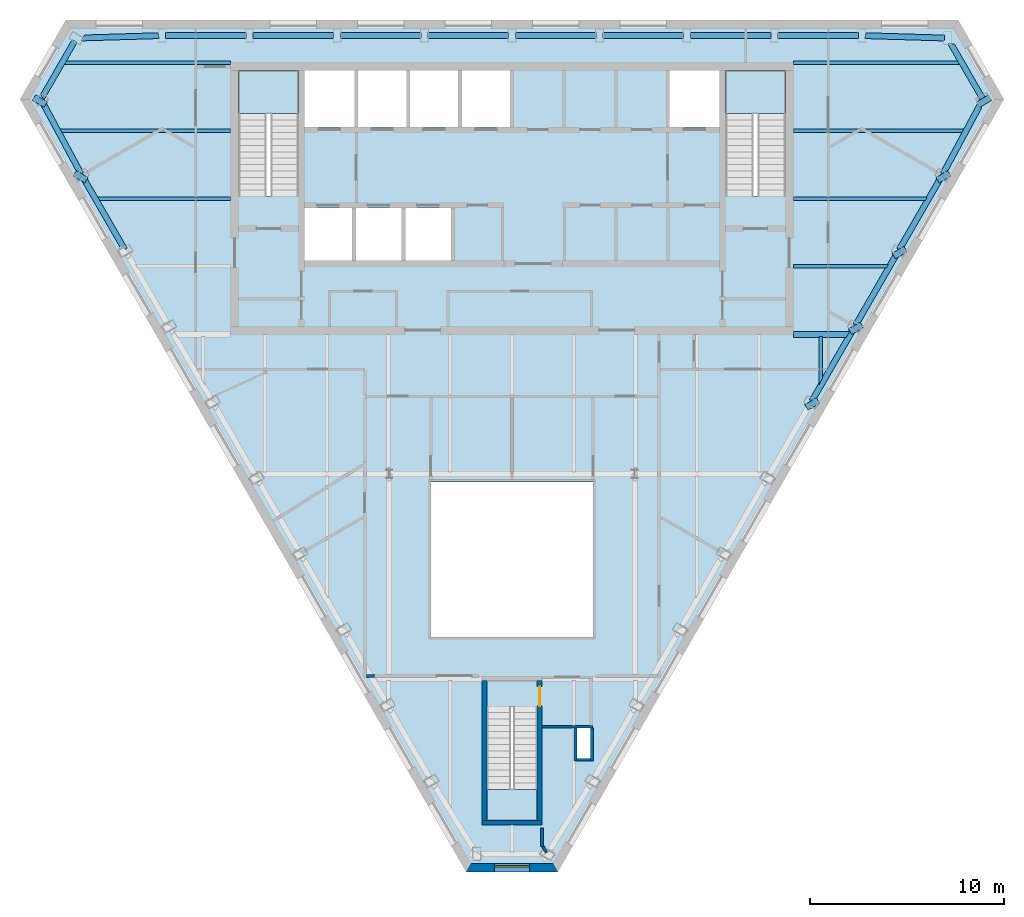
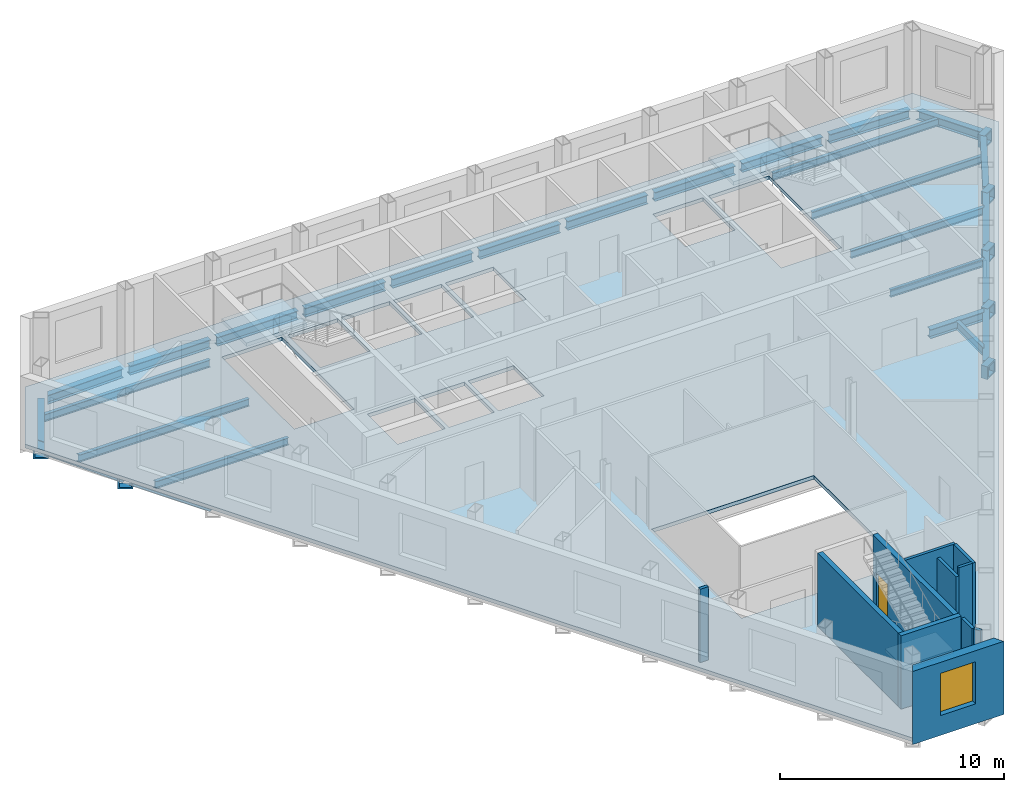
# One storey, part 3 of 10: 34 beams, 11 walls, 4 slabs, 1 door, 1 window, 2 openings, 3 elements without a shape of their own.
"""IFC4 building model written with IfcOpenShell, lengths in metres."""

from ifc_helpers import new_model, si_unit, direction, frame, frame_2d, origin, origin_2d, place, context, subcontext, project, spatial, polyline, rectangle, hollow_rectangle, i_section, outline, extrude, clip, halfspace, material, layer, layer_set, material_profile, profile_set, type_object, element, fill, aggregate, save


model = new_model("IFC4")

# Units and contexts
model_context = context("Model", 3, precision=1e-05, world=origin(), true_north=direction((0.0, 1.0)))
body_context = subcontext(model_context, "Body", "Model", "MODEL_VIEW")
ifc_project = project(units=[si_unit("LENGTHUNIT", "METRE"), si_unit("AREAUNIT", "SQUARE_METRE"), si_unit("VOLUMEUNIT", "CUBIC_METRE"), si_unit("PLANEANGLEUNIT", "RADIAN"), si_unit("MASSUNIT", "GRAM", prefix="KILO")], contexts=[model_context])

# Site, building, storey
site_placement = place(None, origin())
site = spatial("IfcSite", under=ifc_project, at=site_placement, CompositionType="ELEMENT")
building_placement = place(site_placement, origin())
building = spatial("IfcBuilding", under=site, at=building_placement, Name="Njiva Tower", CompositionType="ELEMENT")
storey_placement = place(building_placement, frame((0.0, 0.0, 304.2)))
storey = spatial("IfcBuildingStorey", under=building, at=storey_placement, Name="L69", CompositionType="ELEMENT", Elevation=304.2)

# Beams
ifc_material_1 = material(Name="Steel S355 J2", Category="steel")
ifc_material_profile_1 = material_profile(ifc_material_1, hollow_rectangle(XDim=0.7, YDim=0.7, WallThickness=0.08, at=origin_2d()), Name="BOX 700x700x80")
ifc_profile_set_1 = profile_set([ifc_material_profile_1], Name="Steel S355 J2")
beam_type_1 = type_object("IfcBeamType", Name="B19 Column jog beam BOX 700x700x80", PredefinedType="BEAM", material=ifc_profile_set_1)
beam_1_placement = place(storey_placement, frame((-24.419, 15.879, -0.55), z_axis=(0.518034691835, 0.855359607449, 0.0), x_axis=(-0.855359607449, 0.518034691835, 0.0)))
element("IfcBeam", 1, at=beam_1_placement, inside=storey, type_object=beam_type_1, Name="Column jog beam S23-B013", PredefinedType="BEAM", context=body_context, shape_type="SweptSolid", body=[
    extrude(hollow_rectangle(XDim=0.7, YDim=0.7, WallThickness=0.08, at=origin_2d()), origin(), (0.0, 0.0, 1.0), 0.332),
])
beam_2_placement = place(storey_placement, frame((-22.318, 11.975, -0.55), z_axis=(0.511852178845, 0.859073539932, 0.0), x_axis=(-0.859073539932, 0.511852178845, 0.0)))
element("IfcBeam", 2, at=beam_2_placement, inside=storey, type_object=beam_type_1, Name="Column jog beam S23-B014", PredefinedType="BEAM", context=body_context, shape_type="SweptSolid", body=[
    extrude(hollow_rectangle(XDim=0.7, YDim=0.7, WallThickness=0.08, at=origin_2d()), origin(), (0.0, 0.0, 1.0), 0.3341),
])
beam_3_placement = place(storey_placement, frame((15.556, 0.264, -0.55), z_axis=(-0.502568462288, 0.864537414293, 0.0), x_axis=(-0.864537414293, -0.502568462288, 0.0)))
element("IfcBeam", 3, at=beam_3_placement, inside=storey, type_object=beam_type_1, Name="Column jog beam S23-B032", PredefinedType="BEAM", context=body_context, shape_type="SweptSolid", body=[
    extrude(hollow_rectangle(XDim=0.7, YDim=0.7, WallThickness=0.08, at=origin_2d()), origin(), (0.0, 0.0, 1.0), 0.3343),
])
beam_4_placement = place(storey_placement, frame((17.81, 4.167, -0.55), z_axis=(-0.504799328644, 0.863236721763, 0.0), x_axis=(-0.863236721763, -0.504799328644, 0.0)))
element("IfcBeam", 4, at=beam_4_placement, inside=storey, type_object=beam_type_1, Name="Column jog beam S23-B033", PredefinedType="BEAM", context=body_context, shape_type="SweptSolid", body=[
    extrude(hollow_rectangle(XDim=0.7, YDim=0.7, WallThickness=0.08, at=origin_2d()), origin(), (0.0, 0.0, 1.0), 0.3348),
])
beam_5_placement = place(storey_placement, frame((20.065, 8.071, -0.55), z_axis=(-0.510538754155, 0.859854743841, 0.0), x_axis=(-0.859854743841, -0.510538754155, 0.0)))
element("IfcBeam", 5, at=beam_5_placement, inside=storey, type_object=beam_type_1, Name="Column jog beam S23-B034", PredefinedType="BEAM", context=body_context, shape_type="SweptSolid", body=[
    extrude(hollow_rectangle(XDim=0.7, YDim=0.7, WallThickness=0.08, at=origin_2d()), origin(), (0.0, 0.0, 1.0), 0.3349),
])
beam_6_placement = place(storey_placement, frame((22.318, 11.975, -0.55), z_axis=(-0.511852178845, 0.859073539932, 0.0), x_axis=(-0.859073539932, -0.511852178845, 0.0)))
element("IfcBeam", 6, at=beam_6_placement, inside=storey, type_object=beam_type_1, Name="Column jog beam S23-B035", PredefinedType="BEAM", context=body_context, shape_type="SweptSolid", body=[
    extrude(hollow_rectangle(XDim=0.7, YDim=0.7, WallThickness=0.08, at=origin_2d()), origin(), (0.0, 0.0, 1.0), 0.3341),
])
beam_7_placement = place(storey_placement, frame((24.419, 15.879, -0.55), z_axis=(-0.518034691835, 0.855359607449, 0.0), x_axis=(-0.855359607449, -0.518034691835, 0.0)))
element("IfcBeam", 7, at=beam_7_placement, inside=storey, type_object=beam_type_1, Name="Column jog beam S23-B036", PredefinedType="BEAM", context=body_context, shape_type="SweptSolid", body=[
    extrude(hollow_rectangle(XDim=0.7, YDim=0.7, WallThickness=0.08, at=origin_2d()), origin(), (0.0, 0.0, 1.0), 0.332),
])
ifc_material_profile_2 = material_profile(ifc_material_1, i_section(OverallWidth=0.3, OverallDepth=0.49, WebThickness=0.012, FlangeThickness=0.023, at=origin_2d()), Name="HEA 500")
ifc_profile_set_2 = profile_set([ifc_material_profile_2], Name="Steel S355 J2")
beam_type_2 = type_object("IfcBeamType", Name="B48 Short-span spandrel beam HEA 500", PredefinedType="SPANDREL", material=ifc_profile_set_2)
beam_8_placement = place(storey_placement, frame((22.282, 19.272, -0.445), z_axis=(-0.999544325755, 0.030185109764, 0.0), x_axis=(-0.030185109764, -0.999544325755, 0.0)))
element("IfcBeam", 8, at=beam_8_placement, inside=storey, type_object=beam_type_2, Name="Short-span spandrel beam S23-B116", PredefinedType="SPANDREL", context=body_context, shape_type="SweptSolid", body=[
    extrude(i_section(OverallWidth=0.3, OverallDepth=0.49, WebThickness=0.012, FlangeThickness=0.023, at=origin_2d()), origin(), (0.0, 0.0, 1.0), 4.0749),
])
beam_9_placement = place(storey_placement, frame((17.855, 19.4, -0.445), z_axis=(-1.0, 0.0, 0.0), x_axis=(0.0, -1.0, 0.0)))
element("IfcBeam", 9, at=beam_9_placement, inside=storey, type_object=beam_type_2, Name="Short-span spandrel beam S23-B110", PredefinedType="SPANDREL", context=body_context, shape_type="SweptSolid", body=[
    extrude(i_section(OverallWidth=0.3, OverallDepth=0.49, WebThickness=0.012, FlangeThickness=0.023, at=origin_2d()), origin(), (0.0, 0.0, 1.0), 4.157),
])
beam_10_placement = place(storey_placement, frame((13.348, 19.4, -0.445), z_axis=(-1.0, 0.0, 0.0), x_axis=(0.0, -1.0, 0.0)))
element("IfcBeam", 10, at=beam_10_placement, inside=storey, type_object=beam_type_2, Name="Short-span spandrel beam S23-B104", PredefinedType="SPANDREL", context=body_context, shape_type="SweptSolid", body=[
    extrude(i_section(OverallWidth=0.3, OverallDepth=0.49, WebThickness=0.012, FlangeThickness=0.023, at=origin_2d()), origin(), (0.0, 0.0, 1.0), 4.158),
])
beam_11_placement = place(storey_placement, frame((8.84, 19.4, -0.445), z_axis=(-1.0, 0.0, 0.0), x_axis=(0.0, -1.0, 0.0)))
element("IfcBeam", 11, at=beam_11_placement, inside=storey, type_object=beam_type_2, Name="Short-span spandrel beam S23-B099", PredefinedType="SPANDREL", context=body_context, shape_type="SweptSolid", body=[
    extrude(i_section(OverallWidth=0.3, OverallDepth=0.49, WebThickness=0.012, FlangeThickness=0.023, at=origin_2d()), origin(), (0.0, 0.0, 1.0), 4.157),
])
for number, where, z_axis, x_axis, name in (
    (12, (4.333, 19.4, -0.445), (-1.0, 0.0, 0.0), (0.0, -1.0, 0.0), "Short-span spandrel beam S23-B094"),
    (13, (-0.175, 19.4, -0.445), (-1.0, 0.0, 0.0), (0.0, -1.0, 0.0), "Short-span spandrel beam S23-B089"),
):
    element("IfcBeam", number, at=place(storey_placement, frame(where, z_axis=z_axis, x_axis=x_axis)), inside=storey, type_object=beam_type_2, Name=name, PredefinedType="SPANDREL", context=body_context, shape_type="SweptSolid", body=[
        extrude(i_section(OverallWidth=0.3, OverallDepth=0.49, WebThickness=0.012, FlangeThickness=0.023, at=origin_2d()), origin(), (0.0, 0.0, 1.0), 4.158),
    ])
beam_12_placement = place(storey_placement, frame((-4.683, 19.4, -0.445), z_axis=(-1.0, 0.0, 0.0), x_axis=(0.0, -1.0, 0.0)))
element("IfcBeam", 14, at=beam_12_placement, inside=storey, type_object=beam_type_2, Name="Short-span spandrel beam S23-B084", PredefinedType="SPANDREL", context=body_context, shape_type="SweptSolid", body=[
    extrude(i_section(OverallWidth=0.3, OverallDepth=0.49, WebThickness=0.012, FlangeThickness=0.023, at=origin_2d()), origin(), (0.0, 0.0, 1.0), 4.157),
])
beam_13_placement = place(storey_placement, frame((-9.19, 19.4, -0.445), z_axis=(-1.0, 0.0, 0.0), x_axis=(0.0, -1.0, 0.0)))
element("IfcBeam", 15, at=beam_13_placement, inside=storey, type_object=beam_type_2, Name="Short-span spandrel beam S23-B079", PredefinedType="SPANDREL", context=body_context, shape_type="SweptSolid", body=[
    extrude(i_section(OverallWidth=0.3, OverallDepth=0.49, WebThickness=0.012, FlangeThickness=0.023, at=origin_2d()), origin(), (0.0, 0.0, 1.0), 4.158),
])
beam_14_placement = place(storey_placement, frame((-13.698, 19.4, -0.445), z_axis=(-1.0, 0.0, 0.0), x_axis=(0.0, -1.0, 0.0)))
element("IfcBeam", 16, at=beam_14_placement, inside=storey, type_object=beam_type_2, Name="Short-span spandrel beam S23-B073", PredefinedType="SPANDREL", context=body_context, shape_type="SweptSolid", body=[
    extrude(i_section(OverallWidth=0.3, OverallDepth=0.49, WebThickness=0.012, FlangeThickness=0.023, at=origin_2d()), origin(), (0.0, 0.0, 1.0), 4.157),
])
beam_15_placement = place(storey_placement, frame((-18.209, 19.395, -0.445), z_axis=(-0.999542588848, -0.030242570637, 0.0), x_axis=(0.030242570637, -0.999542588848, 0.0)))
element("IfcBeam", 17, at=beam_15_placement, inside=storey, type_object=beam_type_2, Name="Short-span spandrel beam S23-B067", PredefinedType="SPANDREL", context=body_context, shape_type="Clipping", body=[
    clip(extrude(i_section(OverallWidth=0.3, OverallDepth=0.49, WebThickness=0.012, FlangeThickness=0.023, at=origin_2d()), origin(), (0.0, 0.0, 1.0), 4.0148), halfspace(frame((-0.0266, 0.0, 3.8852), z_axis=(-0.525960174319, 0.0, 0.850509197499), x_axis=(0.0, 1.0, 0.0)), False)),
])
beam_16_placement = place(storey_placement, frame((-22.545, 19.113, -0.445), z_axis=(-0.500042693391, -0.866000753341, 0.0), x_axis=(0.866000753341, -0.500042693391, 0.0)))
element("IfcBeam", 18, at=beam_16_placement, inside=storey, type_object=beam_type_2, Name="Short-span spandrel beam S23-B063", PredefinedType="SPANDREL", context=body_context, shape_type="Clipping", body=[
    clip(extrude(i_section(OverallWidth=0.3, OverallDepth=0.49, WebThickness=0.012, FlangeThickness=0.023, at=origin_2d()), origin(), (0.0, 0.0, 1.0), 3.4407), halfspace(frame((-0.0249, 0.0, 3.3198), z_axis=(-0.499959295661, 0.0, 0.86604890317), x_axis=(0.0, 1.0, 0.0)), False)),
])
beam_17_placement = place(storey_placement, frame((-24.144, 15.864, -0.445), z_axis=(0.473719218081, -0.880675934962, 0.0), x_axis=(0.880675934962, 0.473719218081, 0.0)))
element("IfcBeam", 19, at=beam_17_placement, inside=storey, type_object=beam_type_2, Name="Short-span spandrel beam S23-B065", PredefinedType="SPANDREL", context=body_context, shape_type="SweptSolid", body=[
    extrude(i_section(OverallWidth=0.3, OverallDepth=0.49, WebThickness=0.012, FlangeThickness=0.023, at=origin_2d()), origin(), (0.0, 0.0, 1.0), 4.0741),
])
for number, where, z_axis, x_axis, name in (
    (20, (-22.039, 11.968, -0.445), (0.500097243556, -0.865969252911, 0.0), (0.865969252911, 0.500097243556, 0.0), "Short-span spandrel beam S23-B070"),
    (21, (15.452, 0.561, -0.445), (0.500097243556, 0.865969252911, 0.0), (-0.865969252911, 0.500097243556, 0.0), "Short-span spandrel beam S23-B111"),
):
    element("IfcBeam", number, at=place(storey_placement, frame(where, z_axis=z_axis, x_axis=x_axis)), inside=storey, type_object=beam_type_2, Name=name, PredefinedType="SPANDREL", context=body_context, shape_type="SweptSolid", body=[
        extrude(i_section(OverallWidth=0.3, OverallDepth=0.49, WebThickness=0.012, FlangeThickness=0.023, at=origin_2d()), origin(), (0.0, 0.0, 1.0), 4.1572),
    ])
beam_18_placement = place(storey_placement, frame((17.706, 4.464, -0.445), z_axis=(0.49999308822, 0.866029394266, 0.0), x_axis=(-0.866029394266, 0.49999308822, 0.0)))
element("IfcBeam", 22, at=beam_18_placement, inside=storey, type_object=beam_type_2, Name="Short-span spandrel beam S23-B113", PredefinedType="SPANDREL", context=body_context, shape_type="SweptSolid", body=[
    extrude(i_section(OverallWidth=0.3, OverallDepth=0.49, WebThickness=0.012, FlangeThickness=0.023, at=origin_2d()), origin(), (0.0, 0.0, 1.0), 4.1581),
])
beam_19_placement = place(storey_placement, frame((19.96, 8.368, -0.445), z_axis=(0.500097243556, 0.865969252911, 0.0), x_axis=(-0.865969252911, 0.500097243556, 0.0)))
element("IfcBeam", 23, at=beam_19_placement, inside=storey, type_object=beam_type_2, Name="Short-span spandrel beam S23-B117", PredefinedType="SPANDREL", context=body_context, shape_type="SweptSolid", body=[
    extrude(i_section(OverallWidth=0.3, OverallDepth=0.49, WebThickness=0.012, FlangeThickness=0.023, at=origin_2d()), origin(), (0.0, 0.0, 1.0), 4.1572),
])
beam_20_placement = place(storey_placement, frame((22.214, 12.276, -0.445), z_axis=(0.47375761408, 0.880655280517, 0.0), x_axis=(-0.880655280517, 0.47375761408, 0.0)))
element("IfcBeam", 24, at=beam_20_placement, inside=storey, type_object=beam_type_2, Name="Short-span spandrel beam S23-B119", PredefinedType="SPANDREL", context=body_context, shape_type="Clipping", body=[
    clip(extrude(i_section(OverallWidth=0.3, OverallDepth=0.49, WebThickness=0.012, FlangeThickness=0.023, at=origin_2d()), origin(), (0.0, 0.0, 1.0), 4.1214), halfspace(frame((-0.0261, 0.0, 3.9924), z_axis=(-0.525792992657, 0.0, 0.850612560966), x_axis=(0.0, 1.0, 0.0)), False)),
])
beam_21_placement = place(storey_placement, frame((24.278, 16.112, -0.445), z_axis=(-0.500151261923, 0.865938055058, 0.0), x_axis=(-0.865938055058, -0.500151261923, 0.0)))
element("IfcBeam", 25, at=beam_21_placement, inside=storey, type_object=beam_type_2, Name="Short-span spandrel beam S23-B122", PredefinedType="SPANDREL", context=body_context, shape_type="Clipping", body=[
    clip(extrude(i_section(OverallWidth=0.3, OverallDepth=0.49, WebThickness=0.012, FlangeThickness=0.023, at=origin_2d()), origin(), (0.0, 0.0, 1.0), 3.404), halfspace(frame((-0.0254, 0.0, 3.2823), z_axis=(-0.500151261923, 0.0, 0.865938055058), x_axis=(0.0, 1.0, 0.0)), False)),
])
ifc_material_profile_3 = material_profile(ifc_material_1, i_section(OverallWidth=0.3, OverallDepth=0.49, WebThickness=0.012, FlangeThickness=0.023, at=origin_2d()), Name="HEA 500")
ifc_profile_set_3 = profile_set([ifc_material_profile_3], Name="Steel S355 J2")
beam_type_3 = type_object("IfcBeamType", Name="B50 Short-span floor girder HEA 500", PredefinedType="BEAM", material=ifc_profile_set_3)
beam_22_placement = place(storey_placement, frame((14.5, 4.0, -0.445), z_axis=(1.0, 0.0, 0.0), x_axis=(0.0, 1.0, 0.0)))
element("IfcBeam", 26, at=beam_22_placement, inside=storey, type_object=beam_type_3, Name="Short-span floor girder S23-B012", PredefinedType="BEAM", context=body_context, shape_type="Clipping", body=[
    clip(extrude(i_section(OverallWidth=0.3, OverallDepth=0.49, WebThickness=0.012, FlangeThickness=0.023, at=origin_2d()), origin(), (0.0, 0.0, 1.0), 2.93), halfspace(frame((-0.025, 0.0, 2.8083), z_axis=(-0.499998009787, 0.0, 0.866026552831), x_axis=(0.0, 1.0, 0.0)), False)),
])
ifc_material_profile_4 = material_profile(ifc_material_1, i_section(OverallWidth=0.18, OverallDepth=0.4, WebThickness=0.0086, FlangeThickness=0.0135, at=origin_2d()), Name="IPE 400")
ifc_profile_set_4 = profile_set([ifc_material_profile_4], Name="Steel S355 J2")
beam_type_4 = type_object("IfcBeamType", Name="B51 Floor beam to the core IPE 400", PredefinedType="BEAM", material=ifc_profile_set_4)
beam_23_placement = place(storey_placement, frame((14.5, 7.5, -0.4), z_axis=(1.0, 0.0, 0.0), x_axis=(0.0, 1.0, 0.0)))
element("IfcBeam", 27, at=beam_23_placement, inside=storey, type_object=beam_type_4, Name="Floor beam to the core S23-B005", PredefinedType="BEAM", context=body_context, shape_type="Clipping", body=[
    clip(extrude(i_section(OverallWidth=0.18, OverallDepth=0.4, WebThickness=0.0086, FlangeThickness=0.0135, at=origin_2d()), origin(), (0.0, 0.0, 1.0), 4.915), halfspace(frame((-0.025, 0.0, 4.829), z_axis=(-0.499998009787, 0.0, 0.866026552831), x_axis=(0.0, 1.0, 0.0)), False)),
])
beam_24_placement = place(storey_placement, frame((-21.436, 11.0, -0.4), z_axis=(1.0, 0.0, 0.0), x_axis=(0.0, 1.0, 0.0)))
element("IfcBeam", 28, at=beam_24_placement, inside=storey, type_object=beam_type_4, Name="Floor beam to the core S23-B003", PredefinedType="BEAM", context=body_context, shape_type="Clipping", body=[
    clip(extrude(i_section(OverallWidth=0.18, OverallDepth=0.4, WebThickness=0.0086, FlangeThickness=0.0135, at=origin_2d()), origin(), (0.0, 0.0, 1.0), 6.936), halfspace(frame((-0.025, 0.0, 0.0863), z_axis=(-0.499998009787, 0.0, -0.866026552831), x_axis=(0.0, -1.0, 0.0)), False)),
])
beam_25_placement = place(storey_placement, frame((14.5, 11.0, -0.4), z_axis=(1.0, 0.0, 0.0), x_axis=(0.0, 1.0, 0.0)))
element("IfcBeam", 29, at=beam_25_placement, inside=storey, type_object=beam_type_4, Name="Floor beam to the core S23-B006", PredefinedType="BEAM", context=body_context, shape_type="Clipping", body=[
    clip(extrude(i_section(OverallWidth=0.18, OverallDepth=0.4, WebThickness=0.0086, FlangeThickness=0.0135, at=origin_2d()), origin(), (0.0, 0.0, 1.0), 6.936), halfspace(frame((-0.025, 0.0, 6.8497), z_axis=(-0.499998009787, 0.0, 0.866026552831), x_axis=(0.0, 1.0, 0.0)), False)),
])
beam_26_placement = place(storey_placement, frame((-23.365, 14.5, -0.4), z_axis=(1.0, 0.0, 0.0), x_axis=(0.0, 1.0, 0.0)))
element("IfcBeam", 30, at=beam_26_placement, inside=storey, type_object=beam_type_4, Name="Floor beam to the core S23-B001", PredefinedType="BEAM", context=body_context, shape_type="Clipping", body=[
    clip(extrude(i_section(OverallWidth=0.18, OverallDepth=0.4, WebThickness=0.0086, FlangeThickness=0.0135, at=origin_2d()), origin(), (0.0, 0.0, 1.0), 8.865), halfspace(frame((-0.0237, 0.0, 0.0812), z_axis=(-0.47376166762, 0.0, -0.88065309986), x_axis=(0.0, -1.0, 0.0)), False)),
])
beam_27_placement = place(storey_placement, frame((14.5, 14.5, -0.4), z_axis=(1.0, 0.0, 0.0), x_axis=(0.0, 1.0, 0.0)))
element("IfcBeam", 31, at=beam_27_placement, inside=storey, type_object=beam_type_4, Name="Floor beam to the core S23-B007", PredefinedType="BEAM", context=body_context, shape_type="Clipping", body=[
    clip(extrude(i_section(OverallWidth=0.18, OverallDepth=0.4, WebThickness=0.0086, FlangeThickness=0.0135, at=origin_2d()), origin(), (0.0, 0.0, 1.0), 8.865), halfspace(frame((-0.0237, 0.0, 8.7838), z_axis=(-0.47376166762, 0.0, 0.88065309986), x_axis=(0.0, 1.0, 0.0)), False)),
])
beam_28_placement = place(storey_placement, frame((-23.144, 18.0, -0.4), z_axis=(1.0, 0.0, 0.0), x_axis=(0.0, 1.0, 0.0)))
element("IfcBeam", 32, at=beam_28_placement, inside=storey, type_object=beam_type_4, Name="Floor beam to the core S23-B002", PredefinedType="BEAM", context=body_context, shape_type="Clipping", body=[
    clip(extrude(i_section(OverallWidth=0.18, OverallDepth=0.4, WebThickness=0.0086, FlangeThickness=0.0135, at=origin_2d()), origin(), (0.0, 0.0, 1.0), 8.644), halfspace(frame((0.025, 0.0, 0.0862), z_axis=(0.499998009787, 0.0, -0.866026552831), x_axis=(0.0, -1.0, 0.0)), False)),
])
beam_29_placement = place(storey_placement, frame((14.5, 18.0, -0.4), z_axis=(1.0, 0.0, 0.0), x_axis=(0.0, 1.0, 0.0)))
element("IfcBeam", 33, at=beam_29_placement, inside=storey, type_object=beam_type_4, Name="Floor beam to the core S23-B008", PredefinedType="BEAM", context=body_context, shape_type="Clipping", body=[
    clip(extrude(i_section(OverallWidth=0.18, OverallDepth=0.4, WebThickness=0.0086, FlangeThickness=0.0135, at=origin_2d()), origin(), (0.0, 0.0, 1.0), 8.644), halfspace(frame((0.025, 0.0, 8.5578), z_axis=(0.499998009787, 0.0, 0.866026552831), x_axis=(0.0, 1.0, 0.0)), False)),
])
ifc_material_profile_5 = material_profile(ifc_material_1, i_section(OverallWidth=0.19, OverallDepth=0.45, WebThickness=0.0094, FlangeThickness=0.0146, at=origin_2d()), Name="IPE 450")
ifc_profile_set_5 = profile_set([ifc_material_profile_5], Name="Steel S355 J2")
beam_type_5 = type_object("IfcBeamType", Name="B52 Short-span floor joist IPE 450", PredefinedType="JOIST", material=ifc_profile_set_5)
beam_30_placement = place(storey_placement, frame((15.917, 3.9, -0.425), z_axis=(0.0, -1.0, 0.0), x_axis=(1.0, 0.0, 0.0)))
element("IfcBeam", 34, at=beam_30_placement, inside=storey, type_object=beam_type_5, Name="Short-span floor joist S23-B056", PredefinedType="JOIST", context=body_context, shape_type="Clipping", body=[
    clip(extrude(i_section(OverallWidth=0.19, OverallDepth=0.45, WebThickness=0.0094, FlangeThickness=0.0146, at=origin_2d()), origin(), (0.0, 0.0, 1.0), 2.52), halfspace(frame((0.043, 0.0, 2.2603), z_axis=(0.866026552831, 0.0, 0.499998009787), x_axis=(0.0, 1.0, 0.0)), False)),
])

# Stair, slab
ifc_material_2 = material(Name="Concrete C40/50", Category="concrete")
stair_type_1 = type_object("IfcStairType", Name="ST3 Exit stair 1450", PredefinedType="HALF_TURN_STAIR", material=ifc_material_2)
stair_1_placement = place(storey_placement, origin())
stair_1 = element("IfcStair", 35, at=stair_1_placement, inside=storey, type_object=stair_type_1, Name="Stair A", PredefinedType="HALF_TURN_STAIR")
ifc_layer_1 = layer(ifc_material_2, 0.2)
ifc_layer_set_1 = layer_set([ifc_layer_1], Name="Concrete C40/50")
slab_type_1 = type_object("IfcSlabType", Name="FL9 Stair landing 200", PredefinedType="LANDING", material=ifc_layer_set_1)
slab_1_placement = place(storey_placement, frame((0.0, 0.0, 1.9)))
slab_1 = element("IfcSlab", 36, at=slab_1_placement, type_object=slab_type_1, Name="ST-A landing 1", PredefinedType="LANDING", context=body_context, shape_type="SweptSolid", body=[
    extrude(outline(polyline([(-14.106, 15.39), (-10.994, 15.39), (-10.994, 17.6), (-14.106, 17.6), (-14.106, 15.39)])), origin(), (0.0, 0.0, 1.0), 0.2),
])
aggregate(stair_1, [slab_1])

stair_2_placement = place(storey_placement, origin())
stair_2 = element("IfcStair", 37, at=stair_2_placement, inside=storey, type_object=stair_type_1, Name="Stair B", PredefinedType="HALF_TURN_STAIR")
slab_2_placement = place(storey_placement, frame((0.0, 0.0, 1.9)))
slab_2 = element("IfcSlab", 38, at=slab_2_placement, type_object=slab_type_1, Name="ST-B landing 1", PredefinedType="LANDING", context=body_context, shape_type="SweptSolid", body=[
    extrude(outline(polyline([(10.994, 15.39), (14.106, 15.39), (14.106, 17.6), (10.994, 17.6), (10.994, 15.39)])), origin(), (0.0, 0.0, 1.0), 0.2),
])
aggregate(stair_2, [slab_2])

stair_type_2 = type_object("IfcStairType", Name="ST1 Exit stair 1250", PredefinedType="HALF_TURN_STAIR", material=ifc_material_2)
stair_3_placement = place(storey_placement, origin())
stair_3 = element("IfcStair", 39, at=stair_3_placement, inside=storey, type_object=stair_type_2, Name="Stair C", PredefinedType="HALF_TURN_STAIR")
slab_3_placement = place(storey_placement, frame((0.0, 0.0, 1.9)))
slab_3 = element("IfcSlab", 40, at=slab_3_placement, type_object=slab_type_1, Name="ST-C landing 1", PredefinedType="LANDING", context=body_context, shape_type="SweptSolid", body=[
    extrude(outline(polyline([(-1.306, -21.05), (1.306, -21.05), (1.306, -19.45), (-1.306, -19.45), (-1.306, -21.05)])), origin(), (0.0, 0.0, 1.0), 0.2),
])
aggregate(stair_3, [slab_3])

# Slab
ifc_material_3 = material(Name="Concrete C30/37", Category="concrete")
ifc_layer_2 = layer(ifc_material_3, 0.2)
ifc_layer_set_2 = layer_set([ifc_layer_2], Name="Concrete C30/37")
slab_type_2 = type_object("IfcSlabType", Name="SL16 Composite floor slab 200", PredefinedType="FLOOR", material=ifc_layer_set_2)
slab_4_placement = place(storey_placement, frame((0.0, 0.0, -0.2)))
element("IfcSlab", 41, at=slab_4_placement, inside=storey, type_object=slab_type_2, Name="Floor slab L69", PredefinedType="FLOOR", context=body_context, shape_type="SweptSolid", body=[
    extrude(outline(polyline([(25.0952, 16.1124), (2.2301, -23.4911), (-2.2301, -23.4911), (-25.0952, 16.1124), (-22.8651, 19.975), (22.8651, 19.975), (25.0952, 16.1124)]), holes=[polyline([(10.994, 11.13), (14.106, 11.13), (14.106, 17.6), (10.994, 17.6), (10.994, 11.13)]), polyline([(8.125, 14.7), (10.7, 14.7), (10.7, 17.6), (8.125, 17.6), (8.125, 14.7)]), polyline([(4.18, -11.6), (4.18, -3.6), (-4.18, -3.6), (-4.18, -11.6), (4.18, -11.6)]), polyline([(3.35, -17.85), (4.05, -17.85), (4.05, -16.3), (3.35, -16.3), (3.35, -17.85)]), polyline([(-1.306, -21.05), (1.306, -21.05), (1.306, -15.19), (-1.306, -15.19), (-1.306, -21.05)]), polyline([(-2.575, 14.7), (-0.1, 14.7), (-0.1, 17.6), (-2.575, 17.6), (-2.575, 14.7)]), polyline([(-2.775, 14.7), (-2.775, 17.6), (-5.25, 17.6), (-5.25, 14.7), (-2.775, 14.7)]), polyline([(-5.5, 7.8), (-3.15, 7.8), (-3.15, 10.5), (-5.5, 10.5), (-5.5, 7.8)]), polyline([(-7.925, 14.7), (-5.45, 14.7), (-5.45, 17.6), (-7.925, 17.6), (-7.925, 14.7)]), polyline([(-8.05, 7.8), (-5.7, 7.8), (-5.7, 10.5), (-8.05, 10.5), (-8.05, 7.8)]), polyline([(-10.7, 14.7), (-8.125, 14.7), (-8.125, 17.6), (-10.7, 17.6), (-10.7, 14.7)]), polyline([(-8.25, 7.8), (-8.25, 10.5), (-10.7, 10.5), (-10.7, 7.8), (-8.25, 7.8)]), polyline([(-10.994, 11.13), (-10.994, 17.6), (-14.106, 17.6), (-14.106, 11.13), (-10.994, 11.13)])]), origin(), (0.0, 0.0, 1.0), 0.2),
])

# Walls
ifc_material_4 = material(Name="Gypsum board on steel studs", Category="gypsum")
ifc_layer_3 = layer(ifc_material_4, 0.15)
ifc_layer_set_3 = layer_set([ifc_layer_3], Name="Gypsum board on steel studs")
wall_type_1 = type_object("IfcWallType", Name="WT21 Compartment wall 150", PredefinedType="PARTITIONING", material=ifc_layer_set_3)
wall_1_placement = place(storey_placement, frame((-7.505, -13.6, 0.0), z_axis=(0.0, 0.0, 1.0), x_axis=(1.0, 0.0, 0.0)))
element("IfcWall", 42, at=wall_1_placement, inside=storey, type_object=wall_type_1, Name="Partition S23-P013", PredefinedType="PARTITIONING", context=body_context, shape_type="SweptSolid", body=[
    extrude(rectangle(XDim=0.43, YDim=0.15, at=frame_2d((0.215, 0.0))), origin(), (0.0, 0.0, 1.0), 4.0),
])
wall_2_placement = place(storey_placement, frame((1.55, -22.388, 0.0), z_axis=(0.0, 0.0, 1.0), x_axis=(0.0, 1.0, 0.0)))
element("IfcWall", 43, at=wall_2_placement, inside=storey, type_object=wall_type_1, Name="Partition S23-P016", PredefinedType="PARTITIONING", context=body_context, shape_type="SweptSolid", body=[
    extrude(rectangle(XDim=0.938, YDim=0.15, at=frame_2d((0.469, 0.0))), origin(), (0.0, 0.0, 1.0), 4.0),
])
wall_3_placement = place(storey_placement, frame((1.601, -22.402, 0.0), z_axis=(0.0, 0.0, 1.0), x_axis=(0.499298623879, -0.866429964967, 0.0)))
element("IfcWall", 44, at=wall_3_placement, inside=storey, type_object=wall_type_1, Name="Partition S23-P017", PredefinedType="PARTITIONING", context=body_context, shape_type="SweptSolid", body=[
    extrude(rectangle(XDim=0.3405, YDim=0.15, at=frame_2d((0.1703, 0.0))), origin(), (0.0, 0.0, 1.0), 4.0),
])
ifc_material_5 = material(Name="Blockwork", Category="masonry")
ifc_layer_4 = layer(ifc_material_5, 0.15)
ifc_layer_set_4 = layer_set([ifc_layer_4], Name="Blockwork")
wall_type_2 = type_object("IfcWallType", Name="WT4 Stair partition 150", PredefinedType="PARTITIONING", material=ifc_layer_set_4)
wall_4_placement = place(storey_placement, frame((1.55, -16.225, 0.0), z_axis=(0.0, 0.0, 1.0), x_axis=(1.0, 0.0, 0.0)))
element("IfcWall", 45, at=wall_4_placement, inside=storey, type_object=wall_type_2, Name="Stair C vestibule wall south", PredefinedType="PARTITIONING", context=body_context, shape_type="SweptSolid", body=[
    extrude(rectangle(XDim=2.6, YDim=0.15, at=frame_2d((1.3, 0.0))), origin(), (0.0, 0.0, 1.0), 4.0),
])
wall_5_placement = place(storey_placement, frame((3.275, -18.0, 0.0), z_axis=(0.0, 0.0, 1.0), x_axis=(0.0, 1.0, 0.0)))
element("IfcWall", 46, at=wall_5_placement, inside=storey, type_object=wall_type_2, Name="Stair C pressurisation shaft wall", PredefinedType="PARTITIONING", context=body_context, shape_type="SweptSolid", body=[
    extrude(rectangle(XDim=1.7, YDim=0.15, at=frame_2d((0.85, 0.0))), origin(), (0.0, 0.0, 1.0), 3.55),
])
wall_6_placement = place(storey_placement, frame((3.35, -17.925, 0.0), z_axis=(0.0, 0.0, 1.0), x_axis=(1.0, 0.0, 0.0)))
element("IfcWall", 47, at=wall_6_placement, inside=storey, type_object=wall_type_2, Name="Stair C pressurisation shaft wall", PredefinedType="PARTITIONING", context=body_context, shape_type="SweptSolid", body=[
    extrude(rectangle(XDim=0.7, YDim=0.15, at=frame_2d((0.35, 0.0))), origin(), (0.0, 0.0, 1.0), 4.0),
])
wall_7_placement = place(storey_placement, frame((4.125, -18.0, 0.0), z_axis=(0.0, 0.0, 1.0), x_axis=(0.0, 1.0, 0.0)))
element("IfcWall", 48, at=wall_7_placement, inside=storey, type_object=wall_type_2, Name="Stair C pressurisation shaft wall", PredefinedType="PARTITIONING", context=body_context, shape_type="SweptSolid", body=[
    extrude(rectangle(XDim=1.7, YDim=0.15, at=frame_2d((0.85, 0.0))), origin(), (0.0, 0.0, 1.0), 4.0),
])
ifc_layer_5 = layer(ifc_material_2, 0.25)
ifc_layer_set_5 = layer_set([ifc_layer_5], Name="Concrete C40/50")
wall_type_3 = type_object("IfcWallType", Name="WT9 Stair enclosure wall 250", PredefinedType="SHEAR", material=ifc_layer_set_5)
wall_8_placement = place(storey_placement, frame((-1.425, -21.05, 0.0), z_axis=(0.0, 0.0, 1.0), x_axis=(0.0, 1.0, 0.0)))
element("IfcWall", 49, at=wall_8_placement, inside=storey, type_object=wall_type_3, Name="Stair C wall west", PredefinedType="SHEAR", context=body_context, shape_type="SweptSolid", body=[
    extrude(rectangle(XDim=7.2, YDim=0.25, at=frame_2d((3.6, 0.0))), origin(), (0.0, 0.0, 1.0), 4.0),
])

# Wall, opening, door
wall_9_placement = place(storey_placement, frame((1.425, -21.05, 0.0), z_axis=(0.0, 0.0, 1.0), x_axis=(0.0, 1.0, 0.0)))
wall_9 = element("IfcWall", 50, at=wall_9_placement, inside=storey, type_object=wall_type_3, Name="Stair C wall east", PredefinedType="SHEAR", context=body_context, shape_type="SweptSolid", body=[
    extrude(rectangle(XDim=7.2, YDim=0.25, at=frame_2d((3.6, 0.0))), origin(), (0.0, 0.0, 1.0), 4.0),
])
opening_1_placement = place(wall_9_placement, frame((5.89, 0.0, 0.0)))
opening_1 = element("IfcOpeningElement", 51, at=opening_1_placement, cuts=wall_9, Name="Opening S23-D931", PredefinedType="OPENING", context=body_context, shape_type="SweptSolid", body=[
    extrude(rectangle(XDim=1.0, YDim=2.1, at=frame_2d((0.5, 1.05))), frame((0.0, 0.135, 0.0), z_axis=(0.0, -1.0, 0.0), x_axis=(1.0, 0.0, 0.0)), (0.0, 0.0, 1.0), 0.27),
])
ifc_material_6 = material(Name="Glazed steel fire door", Category="steel")
door_type = type_object("IfcDoorType", Name="D9 Stair vestibule door 1000x2100 glazed", OperationType="SINGLE_SWING_LEFT", PredefinedType="DOOR", material=ifc_material_6)
door_placement = place(opening_1_placement, origin())
door = element("IfcDoor", 52, at=door_placement, inside=storey, type_object=door_type, Name="Stair C door", OperationType="SINGLE_SWING_LEFT", OverallHeight=2.1, OverallWidth=1.0, PredefinedType="DOOR", context=body_context, shape_type="SweptSolid", body=[
    extrude(rectangle(XDim=1.0, YDim=2.1, at=frame_2d((0.5, 1.05))), frame((0.0, 0.025, 0.0), z_axis=(0.0, -1.0, 0.0), x_axis=(1.0, 0.0, 0.0)), (0.0, 0.0, 1.0), 0.05),
])
fill(opening_1, door)

# Wall
wall_10_placement = place(storey_placement, frame((-1.55, -21.175, 0.0), z_axis=(0.0, 0.0, 1.0), x_axis=(1.0, 0.0, 0.0)))
element("IfcWall", 53, at=wall_10_placement, inside=storey, type_object=wall_type_3, Name="Stair C wall south", PredefinedType="SHEAR", context=body_context, shape_type="SweptSolid", body=[
    extrude(rectangle(XDim=3.1, YDim=0.25, at=frame_2d((1.55, 0.0))), origin(), (0.0, 0.0, 1.0), 4.0),
])

# Wall, opening, window
ifc_material_7 = material(Name="Brick masonry, buff", Category="masonry")
ifc_layer_6 = layer(ifc_material_7, 0.45)
ifc_layer_set_6 = layer_set([ifc_layer_6], Name="Brick masonry, buff")
wall_type_4 = type_object("IfcWallType", Name="WT94 Brick pier and spandrel wall 450, buff", PredefinedType="SOLIDWALL", material=ifc_layer_set_6)
wall_11_placement = place(storey_placement, frame((-2.2301, -23.4911, -0.18), z_axis=(0.0, 0.0, 1.0), x_axis=(1.0, 0.0, 0.0)))
wall_11 = element("IfcWall", 54, at=wall_11_placement, inside=storey, type_object=wall_type_4, Name="Facade wall S", PredefinedType="SOLIDWALL", context=body_context, shape_type="SweptSolid", body=[
    extrude(outline(polyline([(-0.1299, -0.225), (4.5901, -0.225), (4.3303, 0.225), (0.1299, 0.225), (-0.1299, -0.225)])), origin(), (0.0, 0.0, 1.0), 3.98),
])
opening_2_placement = place(wall_11_placement, frame((1.3301, 0.0, 1.08)))
opening_2 = element("IfcOpeningElement", 55, at=opening_2_placement, cuts=wall_11, Name="Opening S23-W18", PredefinedType="OPENING", context=body_context, shape_type="SweptSolid", body=[
    extrude(rectangle(XDim=1.8, YDim=2.3, at=frame_2d((0.9, 1.15))), frame((0.0, 0.235, 0.0), z_axis=(0.0, -1.0, 0.0), x_axis=(1.0, 0.0, 0.0)), (0.0, 0.0, 1.0), 0.47),
])
ifc_material_8 = material(Name="Clear glazing in aluminium frame", Category="aluminium")
window_type = type_object("IfcWindowType", Name="W95 Deep-set window 1800x2300", PartitioningType="SINGLE_PANEL", PredefinedType="WINDOW", material=ifc_material_8)
window_placement = place(opening_2_placement, origin())
window = element("IfcWindow", 56, at=window_placement, inside=storey, type_object=window_type, Name="Window", OverallHeight=2.3, OverallWidth=1.8, PartitioningType="SINGLE_PANEL", PredefinedType="WINDOW", context=body_context, shape_type="SweptSolid", body=[
    extrude(rectangle(XDim=1.8, YDim=2.3, at=frame_2d((0.9, 1.15))), frame((0.0, 0.105, 0.0), z_axis=(0.0, -1.0, 0.0), x_axis=(1.0, 0.0, 0.0)), (0.0, 0.0, 1.0), 0.06),
])
fill(opening_2, window)

save(model, "model.ifc")
